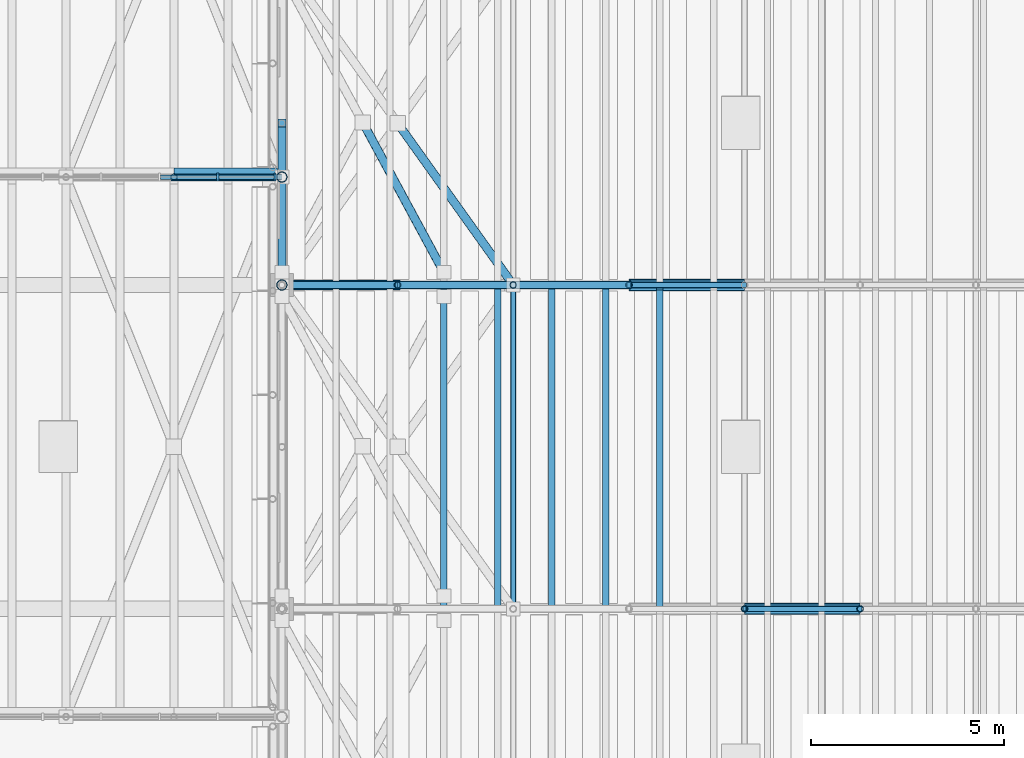
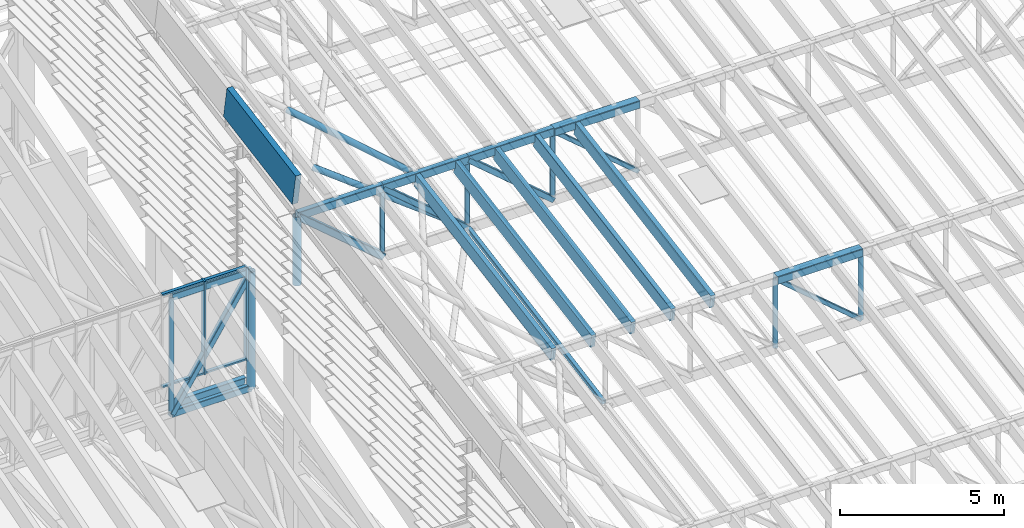
# One storey, part 24 of 91: 35 members, 2 beams, 1 element without a shape of its own.
"""IFC4 building model written with IfcOpenShell, lengths in metres."""

from ifc_helpers import new_model, si_unit, direction, frame, origin, origin_2d, place, context, subcontext, project, spatial, rectangle, hollow_rectangle, hollow_circle, i_section, extrude, material, material_profile, profile_set, type_object, element, aggregate, save


model = new_model("IFC4")

# Units and contexts
model_context = context("Model", 3, precision=1e-05, world=origin(), true_north=direction((0.0, 1.0)))
body_context = subcontext(model_context, "Body", "Model", "MODEL_VIEW")
ifc_project = project(units=[si_unit("LENGTHUNIT", "METRE"), si_unit("AREAUNIT", "SQUARE_METRE"), si_unit("VOLUMEUNIT", "CUBIC_METRE"), si_unit("PLANEANGLEUNIT", "RADIAN"), si_unit("MASSUNIT", "GRAM", prefix="KILO")], contexts=[model_context])

# Site, building, storey
site_placement = place(None, origin())
site = spatial("IfcSite", under=ifc_project, at=site_placement, CompositionType="ELEMENT")
building_placement = place(site_placement, origin())
building = spatial("IfcBuilding", under=site, at=building_placement, Name="Almond Square Museum", CompositionType="ELEMENT")
storey_placement = place(building_placement, frame((0.0, 0.0, 30.0)))
storey = spatial("IfcBuildingStorey", under=building, at=storey_placement, Name="L05", CompositionType="ELEMENT", Elevation=30.0)

# Curtain wall, members
ifc_material_1 = material(Name="Aluminium and laminated glass", Category="aluminium")
curtain_wall_type = type_object("IfcCurtainWallType", Name="Unitised curtain wall 1500 module", PredefinedType="NOTDEFINED", material=ifc_material_1)
curtain_wall_placement = place(storey_placement, origin())
curtain_wall = element("IfcCurtainWall", 1, at=curtain_wall_placement, inside=storey, type_object=curtain_wall_type, Name="Rooflight glazing AG2", PredefinedType="NOTDEFINED")
ifc_material_2 = material(Name="Anodised aluminium", Category="aluminium")
ifc_material_profile_1 = material_profile(ifc_material_2, rectangle(XDim=0.199951171875, YDim=0.06005859375, at=origin_2d()))
ifc_profile_set_1 = profile_set([ifc_material_profile_1], Name="Anodised aluminium")
member_type_1 = type_object("IfcMemberType", Name="Aluminium mullion 60 x 200", PredefinedType="MULLION", material=ifc_profile_set_1)
member_1_placement = place(storey_placement, frame((105.136474609375, 95.199951171875, 6.60009765625), z_axis=(0.0, 0.0, 1.0), x_axis=(0.0, 1.0, 0.0)))
member_1 = element("IfcMember", 2, at=member_1_placement, type_object=member_type_1, Name="CW-57 mullion 22", PredefinedType="MULLION", context=body_context, shape_type="SweptSolid", body=[
    extrude(rectangle(XDim=0.199951171875, YDim=0.06005859375, at=origin_2d()), origin(), (0.0, 0.0, 1.0), 3.480224609375),
])
member_2_placement = place(storey_placement, frame((106.6201171875, 95.199951171875, 6.60009765625), z_axis=(0.0, 0.0, 1.0), x_axis=(0.0, 1.0, 0.0)))
member_2 = element("IfcMember", 3, at=member_2_placement, type_object=member_type_1, Name="CW-57 mullion 23", PredefinedType="MULLION", context=body_context, shape_type="SweptSolid", body=[
    extrude(rectangle(XDim=0.199951171875, YDim=0.06005859375, at=origin_2d()), origin(), (0.0, 0.0, 1.0), 3.480224609375),
])
ifc_material_3 = material(Name="Anodised aluminium", Category="aluminium")
ifc_material_profile_2 = material_profile(ifc_material_3, rectangle(XDim=0.1201171875, YDim=0.06005859375, at=origin_2d()))
ifc_profile_set_2 = profile_set([ifc_material_profile_2], Name="Anodised aluminium")
member_type_2 = type_object("IfcMemberType", Name="Aluminium transom 60 x 120", PredefinedType="USERDEFINED", material=ifc_profile_set_2)
member_3_placement = place(storey_placement, frame((103.65283203125, 95.199951171875, 6.6298828125), z_axis=(1.0, 0.0, 0.0), x_axis=(0.0, 1.0, 0.0)))
member_3 = element("IfcMember", 4, at=member_3_placement, type_object=member_type_2, Name="CW-57 transom 21.1", ObjectType="TRANSOM", PredefinedType="USERDEFINED", context=body_context, shape_type="SweptSolid", body=[
    extrude(rectangle(XDim=0.1201171875, YDim=0.06005859375, at=origin_2d()), origin(), (0.0, 0.0, 1.0), 1.45361328125),
])
member_4_placement = place(storey_placement, frame((103.65283203125, 95.199951171875, 10.05029296875), z_axis=(1.0, 0.0, 0.0), x_axis=(0.0, 1.0, 0.0)))
member_4 = element("IfcMember", 5, at=member_4_placement, type_object=member_type_2, Name="CW-57 transom 21.2", ObjectType="TRANSOM", PredefinedType="USERDEFINED", context=body_context, shape_type="SweptSolid", body=[
    extrude(rectangle(XDim=0.1201171875, YDim=0.06005859375, at=origin_2d()), origin(), (0.0, 0.0, 1.0), 1.45361328125),
])
member_5_placement = place(storey_placement, frame((105.166259765625, 95.199951171875, 6.6298828125), z_axis=(1.0, 0.0, 0.0), x_axis=(0.0, 1.0, 0.0)))
member_5 = element("IfcMember", 6, at=member_5_placement, type_object=member_type_2, Name="CW-57 transom 22.1", ObjectType="TRANSOM", PredefinedType="USERDEFINED", context=body_context, shape_type="SweptSolid", body=[
    extrude(rectangle(XDim=0.1201171875, YDim=0.06005859375, at=origin_2d()), origin(), (0.0, 0.0, 1.0), 1.423828125),
])
member_6_placement = place(storey_placement, frame((105.166259765625, 95.199951171875, 10.05029296875), z_axis=(1.0, 0.0, 0.0), x_axis=(0.0, 1.0, 0.0)))
member_6 = element("IfcMember", 7, at=member_6_placement, type_object=member_type_2, Name="CW-57 transom 22.2", ObjectType="TRANSOM", PredefinedType="USERDEFINED", context=body_context, shape_type="SweptSolid", body=[
    extrude(rectangle(XDim=0.1201171875, YDim=0.06005859375, at=origin_2d()), origin(), (0.0, 0.0, 1.0), 1.423828125),
])
aggregate(curtain_wall, [member_1, member_2, member_3, member_4, member_5, member_6])

# Members
ifc_material_4 = material(Name="Glulam GL28h", Category="wood")
ifc_material_profile_3 = material_profile(ifc_material_4, rectangle(XDim=0.159912109375, YDim=0.5, at=origin_2d()))
ifc_profile_set_3 = profile_set([ifc_material_profile_3], Name="Glulam GL28h")
member_type_3 = type_object("IfcMemberType", Name="Glulam rafter GL28h 160x500", PredefinedType="RAFTER", material=ifc_profile_set_3)
for number, where, z_axis, x_axis, name in (
    (8, (111.0, 84.030029296875, 12.02978515625), (0.0, 0.985026056556, 0.172405533279), (-1.0, 0.0, 0.0), "Hall rafter 5.4"),
    (9, (112.39990234375, 84.030029296875, 12.02978515625), (0.0, 0.985026056556, 0.172405533279), (-1.0, 0.0, 0.0), "Hall rafter 5.5"),
    (10, (113.800048828125, 84.030029296875, 12.02978515625), (0.0, 0.985026056556, 0.172405533279), (-1.0, 0.0, 0.0), "Hall rafter 5.6"),
    (11, (115.199951171875, 84.030029296875, 12.02978515625), (0.0, 0.985026056556, 0.172405533279), (-1.0, 0.0, 0.0), "Hall rafter 5.7"),
):
    element("IfcMember", number, at=place(storey_placement, frame(where, z_axis=z_axis, x_axis=x_axis)), inside=storey, type_object=member_type_3, Name=name, PredefinedType="RAFTER", context=body_context, shape_type="SweptSolid", body=[
        extrude(rectangle(XDim=0.159912109375, YDim=0.5, at=origin_2d()), origin(), (0.0, 0.0, 1.0), 8.459716796875),
    ])
member_7_placement = place(storey_placement, frame((116.60009765625, 84.030029296875, 12.02978515625), z_axis=(0.0, 0.985026646226, 0.172402164214), x_axis=(-1.0, 0.0, 0.0)))
element("IfcMember", 12, at=member_7_placement, inside=storey, type_object=member_type_3, Name="Hall rafter 5.8", PredefinedType="RAFTER", context=body_context, shape_type="SweptSolid", body=[
    extrude(rectangle(XDim=0.159912109375, YDim=0.5, at=origin_2d()), origin(), (0.0, 0.0, 1.0), 8.408935546875),
])

# Beam
ifc_material_5 = material(Name="Glulam GL28h", Category="wood")
ifc_material_profile_4 = material_profile(ifc_material_5, rectangle(XDim=0.199951171875, YDim=1.199951171875, at=origin_2d()))
ifc_profile_set_4 = profile_set([ifc_material_profile_4], Name="Glulam GL28h")
beam_type_1 = type_object("IfcBeamType", Name="Rake fascia beam GL28h 200x1200", PredefinedType="BEAM", material=ifc_profile_set_4)
beam_1_placement = place(storey_placement, frame((106.800048828125, 92.39990234375, 14.550048828125), z_axis=(0.0, 0.985037271866, 0.172341443171), x_axis=(-1.0, 0.0, 0.0)))
element("IfcBeam", 13, at=beam_1_placement, inside=storey, type_object=beam_type_1, Name="Gable rake fascia W 11", PredefinedType="BEAM", context=body_context, shape_type="SweptSolid", body=[
    extrude(rectangle(XDim=0.199951171875, YDim=1.199951171875, at=origin_2d()), origin(), (0.0, 0.0, 1.0), 4.263916015625),
])

# Members
ifc_material_6 = material(Name="Structural steel S355", Category="steel")
ifc_material_profile_5 = material_profile(ifc_material_6, hollow_circle(Radius=0.109619140625, WallThickness=0.010009765625, at=origin_2d()))
ifc_profile_set_5 = profile_set([ifc_material_profile_5], Name="Structural steel S355")
member_type_4 = type_object("IfcMemberType", Name="Roof brace CHS 219.1x10", PredefinedType="BRACE", material=ifc_profile_set_5)
member_8_placement = place(storey_placement, frame((112.800048828125, 92.39990234375, 11.050048828125), z_axis=(-0.575417716489, 0.805622265175, 0.140951117076), x_axis=(-0.813746254747, -0.581220296346, 0.0)))
element("IfcMember", 14, at=member_8_placement, inside=storey, type_object=member_type_4, Name="Hall bay 6 plan brace", PredefinedType="BRACE", context=body_context, shape_type="SweptSolid", body=[
    extrude(hollow_circle(Radius=0.109619140625, WallThickness=0.010009765625, at=origin_2d()), origin(), (0.0, 0.0, 1.0), 5.213623046875),
])
member_9_placement = place(storey_placement, frame((111.0, 92.72998046875, 13.552490234375), z_axis=(-0.46999556541, 0.86945354945, 0.15216666469), x_axis=(-0.879697763355, -0.475533221918, 0.0)))
element("IfcMember", 15, at=member_9_placement, inside=storey, type_object=member_type_4, Name="Hall roof plane brace 6", PredefinedType="BRACE", context=body_context, shape_type="SweptSolid", body=[
    extrude(hollow_circle(Radius=0.109619140625, WallThickness=0.010009765625, at=origin_2d()), origin(), (0.0, 0.0, 1.0), 4.46826171875),
])
ifc_material_7 = material(Name="Structural steel S355", Category="steel")
ifc_material_profile_6 = material_profile(ifc_material_7, hollow_rectangle(XDim=0.14990234375, YDim=0.25, WallThickness=0.010009765625, InnerFilletRadius=0.014892578125, OuterFilletRadius=0.02490234375, at=origin_2d()))
ifc_profile_set_6 = profile_set([ifc_material_profile_6], Name="Structural steel S355")
member_type_5 = type_object("IfcMemberType", Name="Truss chord RHS 250x150x10", PredefinedType="CHORD", material=ifc_profile_set_6)
for number, where, z_axis, x_axis, name in (
    (16, (104.0, 95.199951171875, 9.8505859375), (1.0, 0.0, 0.0), (0.0, 1.0, 0.0), "TR-11 top chord 12"),
    (17, (104.0, 95.199951171875, 5.505126953125), (1.0, 0.0, 0.0), (0.0, 1.0, 0.0), "TR-11 bottom chord 12"),
):
    element("IfcMember", number, at=place(storey_placement, frame(where, z_axis=z_axis, x_axis=x_axis)), inside=storey, type_object=member_type_5, Name=name, PredefinedType="CHORD", context=body_context, shape_type="SweptSolid", body=[
        extrude(hollow_rectangle(XDim=0.14990234375, YDim=0.25, WallThickness=0.010009765625, InnerFilletRadius=0.014892578125, OuterFilletRadius=0.02490234375, at=origin_2d()), origin(), (0.0, 0.0, 1.0), 2.800048828125),
    ])
ifc_material_8 = material(Name="Structural steel S355", Category="steel")
ifc_material_profile_7 = material_profile(ifc_material_8, hollow_rectangle(XDim=0.199951171875, YDim=0.300048828125, WallThickness=0.010009765625, InnerFilletRadius=0.014892578125, OuterFilletRadius=0.02490234375, at=origin_2d()))
ifc_profile_set_7 = profile_set([ifc_material_profile_7], Name="Structural steel S355")
member_type_6 = type_object("IfcMemberType", Name="Truss chord RHS 300x200x10", PredefinedType="CHORD", material=ifc_profile_set_7)
for number, where, z_axis, x_axis, name in (
    (18, (106.800048828125, 92.39990234375, 13.598388671875), (1.0, 0.0, 0.0), (0.0, 1.0, 0.0), "TR-06 top chord 1"),
    (19, (109.800048828125, 92.39990234375, 13.598388671875), (1.0, 0.0, 0.0), (0.0, 1.0, 0.0), "TR-06 top chord 2"),
    (20, (112.800048828125, 92.39990234375, 13.598388671875), (1.0, 0.0, 0.0), (0.0, 1.0, 0.0), "TR-06 top chord 3"),
):
    element("IfcMember", number, at=place(storey_placement, frame(where, z_axis=z_axis, x_axis=x_axis)), inside=storey, type_object=member_type_6, Name=name, PredefinedType="CHORD", context=body_context, shape_type="SweptSolid", body=[
        extrude(hollow_rectangle(XDim=0.199951171875, YDim=0.300048828125, WallThickness=0.010009765625, InnerFilletRadius=0.014892578125, OuterFilletRadius=0.02490234375, at=origin_2d()), origin(), (0.0, 0.0, 1.0), 3.0),
    ])
ifc_material_9 = material(Name="Structural steel S355", Category="steel")
ifc_material_profile_8 = material_profile(ifc_material_9, hollow_rectangle(XDim=0.300048828125, YDim=0.300048828125, WallThickness=0.012451171875, InnerFilletRadius=0.02490234375, OuterFilletRadius=0.03759765625, at=origin_2d()))
ifc_profile_set_8 = profile_set([ifc_material_profile_8], Name="Structural steel S355")
member_type_7 = type_object("IfcMemberType", Name="Truss chord SHS 300x300x12.5", PredefinedType="CHORD", material=ifc_profile_set_8)
for number, where, z_axis, x_axis, name in (
    (21, (118.800048828125, 84.0, 12.12841796875), (1.0, 0.0, 0.0), (0.0, 1.0, 0.0), "TR-05 top chord 5"),
    (22, (115.800048828125, 92.39990234375, 13.598388671875), (1.0, 0.0, 0.0), (0.0, 1.0, 0.0), "TR-06 top chord 4"),
):
    element("IfcMember", number, at=place(storey_placement, frame(where, z_axis=z_axis, x_axis=x_axis)), inside=storey, type_object=member_type_7, Name=name, PredefinedType="CHORD", context=body_context, shape_type="SweptSolid", body=[
        extrude(hollow_rectangle(XDim=0.300048828125, YDim=0.300048828125, WallThickness=0.012451171875, InnerFilletRadius=0.02490234375, OuterFilletRadius=0.03759765625, at=origin_2d()), origin(), (0.0, 0.0, 1.0), 3.0),
    ])
ifc_material_10 = material(Name="Structural steel S355", Category="steel")
ifc_material_profile_9 = material_profile(ifc_material_10, hollow_rectangle(XDim=0.14990234375, YDim=0.14990234375, WallThickness=0.008056640625, InnerFilletRadius=0.011962890625, OuterFilletRadius=0.02001953125, at=origin_2d()))
ifc_profile_set_9 = profile_set([ifc_material_profile_9], Name="Structural steel S355")
member_type_8 = type_object("IfcMemberType", Name="Truss diagonal SHS 150x150x8", PredefinedType="BRACE", material=ifc_profile_set_9)
for number, where, z_axis, x_axis, name in (
    (23, (118.800048828125, 84.0, 12.12841796875), (0.762147404437, 0.0, -0.647403532513), (0.0, 1.0, 0.0), "TR-05 diagonal 5"),
    (24, (115.800048828125, 92.39990234375, 13.598388671875), (0.762147404437, 0.0, -0.647403532513), (0.0, 1.0, 0.0), "TR-06 diagonal 4"),
):
    element("IfcMember", number, at=place(storey_placement, frame(where, z_axis=z_axis, x_axis=x_axis)), inside=storey, type_object=member_type_8, Name=name, PredefinedType="BRACE", context=body_context, shape_type="SweptSolid", body=[
        extrude(hollow_rectangle(XDim=0.14990234375, YDim=0.14990234375, WallThickness=0.008056640625, InnerFilletRadius=0.011962890625, OuterFilletRadius=0.02001953125, at=origin_2d()), origin(), (0.0, 0.0, 1.0), 3.936279296875),
    ])
ifc_material_11 = material(Name="Structural steel S355", Category="steel")
ifc_material_profile_10 = material_profile(ifc_material_11, hollow_rectangle(XDim=0.199951171875, YDim=0.199951171875, WallThickness=0.010009765625, InnerFilletRadius=0.014892578125, OuterFilletRadius=0.02490234375, at=origin_2d()))
ifc_profile_set_10 = profile_set([ifc_material_profile_10], Name="Structural steel S355")
member_type_9 = type_object("IfcMemberType", Name="Truss diagonal SHS 200x200x10", PredefinedType="BRACE", material=ifc_profile_set_10)
for number, where, z_axis, x_axis, name in (
    (25, (109.800048828125, 92.39990234375, 13.598388671875), (0.762147404437, 0.0, -0.647403532513), (0.0, 1.0, 0.0), "TR-06 diagonal 2"),
    (26, (112.800048828125, 92.39990234375, 13.598388671875), (0.762147404437, 0.0, -0.647403532513), (0.0, 1.0, 0.0), "TR-06 diagonal 3"),
):
    element("IfcMember", number, at=place(storey_placement, frame(where, z_axis=z_axis, x_axis=x_axis)), inside=storey, type_object=member_type_9, Name=name, PredefinedType="BRACE", context=body_context, shape_type="SweptSolid", body=[
        extrude(hollow_rectangle(XDim=0.199951171875, YDim=0.199951171875, WallThickness=0.010009765625, InnerFilletRadius=0.014892578125, OuterFilletRadius=0.02490234375, at=origin_2d()), origin(), (0.0, 0.0, 1.0), 3.936279296875),
    ])
member_10_placement = place(storey_placement, frame((104.0, 95.199951171875, 5.505126953125), z_axis=(0.541652391523, 0.0, 0.840602573609), x_axis=(0.0, 1.0, 0.0)))
element("IfcMember", 27, at=member_10_placement, inside=storey, type_object=member_type_9, Name="TR-11 diagonal 12", PredefinedType="BRACE", context=body_context, shape_type="SweptSolid", body=[
    extrude(hollow_rectangle(XDim=0.199951171875, YDim=0.199951171875, WallThickness=0.010009765625, InnerFilletRadius=0.014892578125, OuterFilletRadius=0.02490234375, at=origin_2d()), origin(), (0.0, 0.0, 1.0), 5.16943359375),
])
ifc_material_12 = material(Name="Structural steel S355", Category="steel")
ifc_material_profile_11 = material_profile(ifc_material_12, hollow_rectangle(XDim=0.25, YDim=0.25, WallThickness=0.012451171875, InnerFilletRadius=0.02490234375, OuterFilletRadius=0.03759765625, at=origin_2d()))
ifc_profile_set_11 = profile_set([ifc_material_profile_11], Name="Structural steel S355")
member_type_10 = type_object("IfcMemberType", Name="Truss diagonal SHS 250x250x12.5", PredefinedType="BRACE", material=ifc_profile_set_11)
member_11_placement = place(storey_placement, frame((106.800048828125, 92.39990234375, 13.598388671875), z_axis=(0.762147404437, 0.0, -0.647403532513), x_axis=(0.0, 1.0, 0.0)))
element("IfcMember", 28, at=member_11_placement, inside=storey, type_object=member_type_10, Name="TR-06 diagonal 1", PredefinedType="BRACE", context=body_context, shape_type="SweptSolid", body=[
    extrude(hollow_rectangle(XDim=0.25, YDim=0.25, WallThickness=0.012451171875, InnerFilletRadius=0.02490234375, OuterFilletRadius=0.03759765625, at=origin_2d()), origin(), (0.0, 0.0, 1.0), 3.936279296875),
])
ifc_material_13 = material(Name="Structural steel S355", Category="steel")
ifc_material_profile_12 = material_profile(ifc_material_13, hollow_circle(Radius=0.084228515625, WallThickness=0.008056640625, at=origin_2d()))
ifc_profile_set_12 = profile_set([ifc_material_profile_12], Name="Structural steel S355")
member_type_11 = type_object("IfcMemberType", Name="Truss post CHS 168.3x8", PredefinedType="POST", material=ifc_profile_set_12)
for number, where, z_axis, x_axis, name in (
    (29, (118.800048828125, 84.0, 9.580078125), (0.0, 0.0, 1.0), (1.0, 0.0, 0.0), "TR-05 post 5"),
    (30, (121.800048828125, 84.0, 9.580078125), (0.0, 0.0, 1.0), (1.0, 0.0, 0.0), "TR-05 post 6"),
    (31, (109.800048828125, 92.39990234375, 11.050048828125), (0.0, 0.0, 1.0), (1.0, 0.0, 0.0), "TR-06 post 2"),
    (32, (112.800048828125, 92.39990234375, 11.050048828125), (0.0, 0.0, 1.0), (1.0, 0.0, 0.0), "TR-06 post 3"),
    (33, (115.800048828125, 92.39990234375, 11.050048828125), (0.0, 0.0, 1.0), (1.0, 0.0, 0.0), "TR-06 post 4"),
):
    element("IfcMember", number, at=place(storey_placement, frame(where, z_axis=z_axis, x_axis=x_axis)), inside=storey, type_object=member_type_11, Name=name, PredefinedType="POST", context=body_context, shape_type="SweptSolid", body=[
        extrude(hollow_circle(Radius=0.084228515625, WallThickness=0.008056640625, at=origin_2d()), origin(), (0.0, 0.0, 1.0), 2.54833984375),
    ])
member_12_placement = place(storey_placement, frame((104.0, 95.199951171875, 5.505126953125), z_axis=(0.0, 0.0, 1.0), x_axis=(1.0, 0.0, 0.0)))
element("IfcMember", 34, at=member_12_placement, inside=storey, type_object=member_type_11, Name="TR-11 post 12", PredefinedType="POST", context=body_context, shape_type="SweptSolid", body=[
    extrude(hollow_circle(Radius=0.084228515625, WallThickness=0.008056640625, at=origin_2d()), origin(), (0.0, 0.0, 1.0), 4.345458984375),
])
ifc_material_14 = material(Name="Structural steel S355", Category="steel")
ifc_material_profile_13 = material_profile(ifc_material_14, hollow_circle(Radius=0.136474609375, WallThickness=0.012451171875, at=origin_2d()))
ifc_profile_set_13 = profile_set([ifc_material_profile_13], Name="Structural steel S355")
member_type_12 = type_object("IfcMemberType", Name="Truss post CHS 273x12.5", PredefinedType="POST", material=ifc_profile_set_13)
member_13_placement = place(storey_placement, frame((106.800048828125, 92.39990234375, 11.050048828125), z_axis=(0.0, 0.0, 1.0), x_axis=(1.0, 0.0, 0.0)))
element("IfcMember", 35, at=member_13_placement, inside=storey, type_object=member_type_12, Name="TR-06 post 1", PredefinedType="POST", context=body_context, shape_type="SweptSolid", body=[
    extrude(hollow_circle(Radius=0.136474609375, WallThickness=0.012451171875, at=origin_2d()), origin(), (0.0, 0.0, 1.0), 2.54833984375),
])
member_14_placement = place(storey_placement, frame((106.800048828125, 95.199951171875, 5.505126953125), z_axis=(0.0, 0.0, 1.0), x_axis=(1.0, 0.0, 0.0)))
element("IfcMember", 36, at=member_14_placement, inside=storey, type_object=member_type_12, Name="TR-11 post 13", PredefinedType="POST", context=body_context, shape_type="SweptSolid", body=[
    extrude(hollow_circle(Radius=0.136474609375, WallThickness=0.012451171875, at=origin_2d()), origin(), (0.0, 0.0, 1.0), 4.345458984375),
])
ifc_material_15 = material(Name="Structural steel S355", Category="steel")
ifc_material_profile_14 = material_profile(ifc_material_15, hollow_rectangle(XDim=0.14990234375, YDim=0.14990234375, WallThickness=0.008056640625, InnerFilletRadius=0.011962890625, OuterFilletRadius=0.02001953125, at=origin_2d()))
ifc_profile_set_14 = profile_set([ifc_material_profile_14], Name="Structural steel S355")
member_type_13 = type_object("IfcMemberType", Name="Truss tie SHS 150x150x8", PredefinedType="MEMBER", material=ifc_profile_set_14)
member_15_placement = place(storey_placement, frame((112.800048828125, 84.074951171875, 9.580078125), z_axis=(0.0, 0.984494486924, 0.175415521596), x_axis=(-1.0, 0.0, 0.0)))
element("IfcMember", 37, at=member_15_placement, inside=storey, type_object=member_type_13, Name="Hall bay 5 tie 2", PredefinedType="MEMBER", context=body_context, shape_type="SweptSolid", body=[
    extrude(hollow_rectangle(XDim=0.14990234375, YDim=0.14990234375, WallThickness=0.008056640625, InnerFilletRadius=0.011962890625, OuterFilletRadius=0.02001953125, at=origin_2d()), origin(), (0.0, 0.0, 1.0), 8.3798828125),
])

# Beam
ifc_material_16 = material(Name="Structural steel S355", Category="steel")
ifc_material_profile_15 = material_profile(ifc_material_16, i_section(OverallWidth=0.166015625, OverallDepth=0.528076171875, WebThickness=0.009765625, FlangeThickness=0.013671875, at=origin_2d()))
ifc_profile_set_15 = profile_set([ifc_material_profile_15], Name="Structural steel S355")
beam_type_2 = type_object("IfcBeamType", Name="Valley beam W530x74", PredefinedType="BEAM", material=ifc_profile_set_15)
beam_2_placement = place(storey_placement, frame((104.0, 95.35791015625, 5.587890625), z_axis=(1.0, 0.0, 0.0), x_axis=(0.0, 1.0, 0.0)))
element("IfcBeam", 38, at=beam_2_placement, inside=storey, type_object=beam_type_2, Name="Atrium valley beam 2.12", PredefinedType="BEAM", context=body_context, shape_type="SweptSolid", body=[
    extrude(i_section(OverallWidth=0.166015625, OverallDepth=0.528076171875, WebThickness=0.009765625, FlangeThickness=0.013671875, at=origin_2d()), origin(), (0.0, 0.0, 1.0), 2.68603515625),
])

save(model, "model.ifc")
